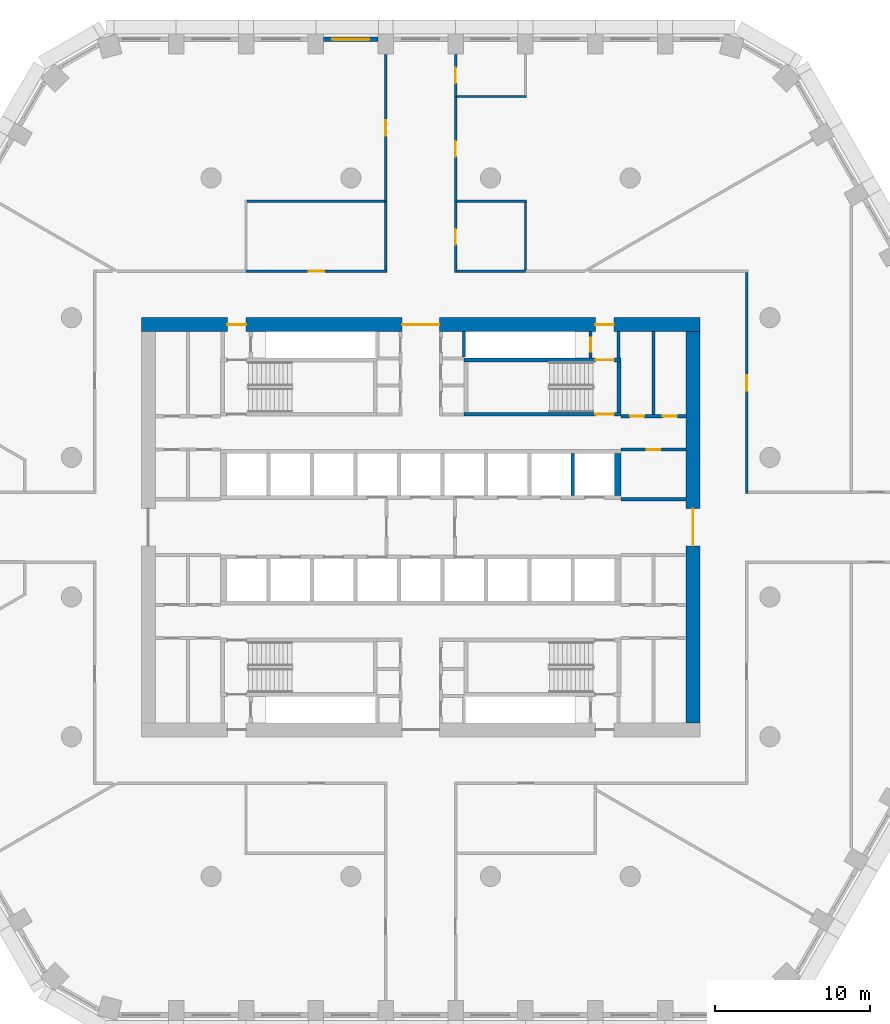
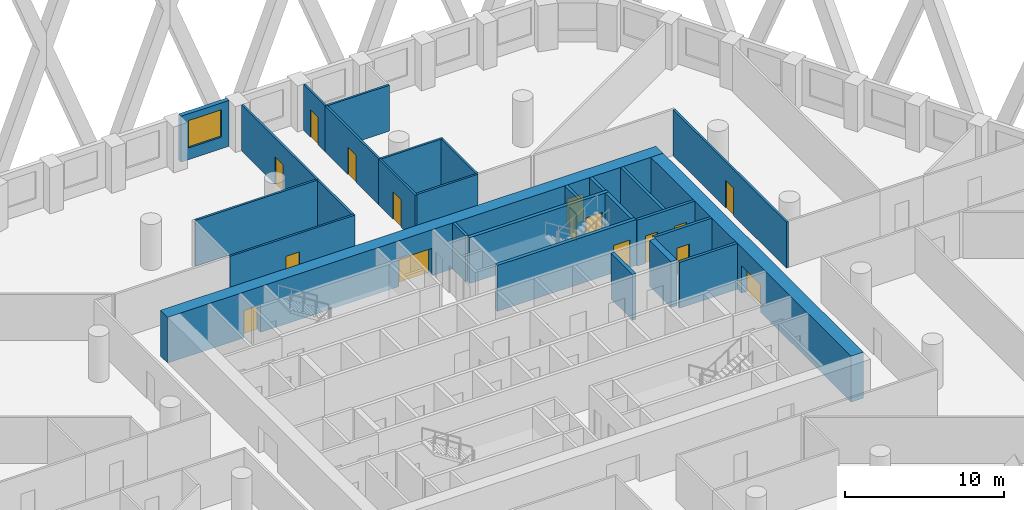
# One storey, part 7 of 18: 27 walls, 16 doors, 1 window, 17 openings.
"""IFC4 building model written with IfcOpenShell, lengths in metres."""

from ifc_helpers import new_model, si_unit, direction, frame, frame_2d, origin, place, context, subcontext, project, spatial, polyline, rectangle, outline, extrude, material, layer, layer_set, type_object, element, fill, save


model = new_model("IFC4")

# Units and contexts
model_context = context("Model", 3, precision=1e-05, world=origin(), true_north=direction((0.0, 1.0)))
body_context = subcontext(model_context, "Body", "Model", "MODEL_VIEW")
ifc_project = project(units=[si_unit("LENGTHUNIT", "METRE"), si_unit("AREAUNIT", "SQUARE_METRE"), si_unit("VOLUMEUNIT", "CUBIC_METRE"), si_unit("PLANEANGLEUNIT", "RADIAN"), si_unit("MASSUNIT", "GRAM", prefix="KILO")], contexts=[model_context])

# Site, building, storey
site_placement = place(None, origin())
site = spatial("IfcSite", under=ifc_project, at=site_placement, CompositionType="ELEMENT")
building_placement = place(site_placement, origin())
building = spatial("IfcBuilding", under=site, at=building_placement, Name="Dhurran Vertical Campus", CompositionType="ELEMENT")
storey_placement = place(building_placement, frame((0.0, 0.0, 104.699951171875)))
storey = spatial("IfcBuildingStorey", under=building, at=storey_placement, Name="L25", CompositionType="ELEMENT", Elevation=104.699951171875)

# Wall, opening, window
ifc_material_1 = material(Name="Precast concrete C50/60", Category="concrete")
ifc_layer_1 = layer(ifc_material_1, 0.300048828125)
ifc_layer_set_1 = layer_set([ifc_layer_1], Name="Precast concrete C50/60")
wall_type_1 = type_object("IfcWallType", Name="Precast spandrel wall 300", PredefinedType="SOLIDWALL", material=ifc_layer_set_1)
wall_1_placement = place(storey_placement, frame((-2.75048828125, 31.4296875, 0.0), z_axis=(0.0, 0.0, 1.0), x_axis=(-1.0, 0.0, 0.0)))
wall_1 = element("IfcWall", 1, at=wall_1_placement, inside=storey, type_object=wall_type_1, Name="EW1 L25.31", PredefinedType="SOLIDWALL", context=body_context, shape_type="SweptSolid", body=[
    extrude(rectangle(XDim=3.4990234375, YDim=0.300048828125, at=frame_2d((1.74951171875, 0.0))), origin(), (0.0, 0.0, 1.0), 3.525146484375),
])
opening_1_placement = place(wall_1_placement, frame((0.549560546875, 0.0, 0.89990234375)))
opening_1 = element("IfcOpeningElement", 2, at=opening_1_placement, cuts=wall_1, Name="Opening WT1", PredefinedType="OPENING", context=body_context, shape_type="SweptSolid", body=[
    extrude(rectangle(XDim=2.39990234375, YDim=2.10009765625, at=frame_2d((1.199951171875, 1.050048828125))), frame((0.0, 0.159912109375, 0.0), z_axis=(0.0, -1.0, 0.0), x_axis=(1.0, 0.0, 0.0)), (0.0, 0.0, 1.0), 0.320068359375),
])
ifc_material_2 = material(Name="Aluminium frame with solar-control glass", Category="aluminium")
window_type = type_object("IfcWindowType", Name="Punched window 2400 x 2100", PartitioningType="SINGLE_PANEL", PredefinedType="WINDOW", material=ifc_material_2)
window_placement = place(opening_1_placement, origin())
window = element("IfcWindow", 3, at=window_placement, inside=storey, type_object=window_type, Name="WT1 L25.31", OverallHeight=2.10009765625, OverallWidth=2.39990234375, PartitioningType="SINGLE_PANEL", PredefinedType="WINDOW", context=body_context, shape_type="SweptSolid", body=[
    extrude(rectangle(XDim=2.39990234375, YDim=2.10009765625, at=frame_2d((1.199951171875, 1.050048828125))), frame((0.0, 0.030029296875, 0.0), z_axis=(0.0, -1.0, 0.0), x_axis=(1.0, 0.0, 0.0)), (0.0, 0.0, 1.0), 0.06005859375),
])
fill(opening_1, window)

# Wall, openings, doors
ifc_material_3 = material(Name="Concrete C60/75", Category="concrete")
ifc_layer_2 = layer(ifc_material_3, 0.89990234375)
ifc_layer_set_2 = layer_set([ifc_layer_2], Name="Concrete C60/75")
wall_type_2 = type_object("IfcWallType", Name="co-CORE-WALL-C0-900", PredefinedType="SHEAR", material=ifc_layer_set_2)
wall_2_placement = place(storey_placement, frame((-18.0, 13.050048828125, 0.0), z_axis=(0.0, 0.0, 1.0), x_axis=(1.0, 0.0, 0.0)))
wall_2 = element("IfcWall", 4, at=wall_2_placement, inside=storey, type_object=wall_type_2, Name="Core wall N L25", PredefinedType="SHEAR", context=body_context, shape_type="SweptSolid", body=[
    extrude(rectangle(XDim=36.0, YDim=0.89990234375, at=frame_2d((18.0, 0.0))), origin(), (0.0, 0.0, 1.0), 3.525146484375),
])
opening_2_placement = place(wall_2_placement, frame((16.800048828125, 0.0, 0.0)))
opening_2 = element("IfcOpeningElement", 5, at=opening_2_placement, cuts=wall_2, Name="Opening CV1", PredefinedType="OPENING", context=body_context, shape_type="SweptSolid", body=[
    extrude(rectangle(XDim=2.39990234375, YDim=2.10009765625, at=frame_2d((1.199951171875, 1.050048828125))), frame((0.0, 0.4599609375, 0.0), z_axis=(0.0, -1.0, 0.0), x_axis=(1.0, 0.0, 0.0)), (0.0, 0.0, 1.0), 0.919921875),
])
opening_3_placement = place(wall_2_placement, frame((5.550048828125, 0.0, 0.0)))
opening_3 = element("IfcOpeningElement", 6, at=opening_3_placement, cuts=wall_2, Name="Opening XD1", PredefinedType="OPENING", context=body_context, shape_type="SweptSolid", body=[
    extrude(rectangle(XDim=1.199951171875, YDim=2.10009765625, at=frame_2d((0.60009765625, 1.050048828125))), frame((0.0, 0.4599609375, 0.0), z_axis=(0.0, -1.0, 0.0), x_axis=(1.0, 0.0, 0.0)), (0.0, 0.0, 1.0), 0.919921875),
])
opening_4_placement = place(wall_2_placement, frame((29.25, 0.0, 0.0)))
opening_4 = element("IfcOpeningElement", 7, at=opening_4_placement, cuts=wall_2, Name="Opening XD2", PredefinedType="OPENING", context=body_context, shape_type="SweptSolid", body=[
    extrude(rectangle(XDim=1.199951171875, YDim=2.10009765625, at=frame_2d((0.60009765625, 1.050048828125))), frame((0.0, 0.4599609375, 0.0), z_axis=(0.0, -1.0, 0.0), x_axis=(1.0, 0.0, 0.0)), (0.0, 0.0, 1.0), 0.919921875),
])
ifc_material_4 = material(Name="Fire-rated glazed door set")
door_type_1 = type_object("IfcDoorType", Name="co-D-LOBBY 2400x2100", OperationType="DOUBLE_DOOR_DOUBLE_SWING", PredefinedType="DOOR", material=ifc_material_4)
door_1_placement = place(opening_2_placement, origin())
door_1 = element("IfcDoor", 8, at=door_1_placement, inside=storey, type_object=door_type_1, Name="Core vestibule door N L25", OperationType="DOUBLE_DOOR_DOUBLE_SWING", OverallHeight=2.10009765625, OverallWidth=2.39990234375, PredefinedType="DOOR", context=body_context, shape_type="SweptSolid", body=[
    extrude(rectangle(XDim=2.39990234375, YDim=2.10009765625, at=frame_2d((1.199951171875, 1.050048828125))), frame((0.0, 0.02490234375, 0.0), z_axis=(0.0, -1.0, 0.0), x_axis=(1.0, 0.0, 0.0)), (0.0, 0.0, 1.0), 0.050048828125),
])
fill(opening_2, door_1)
ifc_material_5 = material(Name="Fire-rated steel door set", Category="steel")
door_type_2 = type_object("IfcDoorType", Name="co-D-STAIR-EXIT 1200x2100", OperationType="SINGLE_SWING_RIGHT", PredefinedType="DOOR", material=ifc_material_5)
door_2_placement = place(opening_3_placement, origin())
door_2 = element("IfcDoor", 9, at=door_2_placement, inside=storey, type_object=door_type_2, Name="Stair ST1 exit door L25", OperationType="SINGLE_SWING_RIGHT", OverallHeight=2.10009765625, OverallWidth=1.199951171875, PredefinedType="DOOR", context=body_context, shape_type="SweptSolid", body=[
    extrude(rectangle(XDim=1.199951171875, YDim=2.10009765625, at=frame_2d((0.60009765625, 1.050048828125))), frame((0.0, 0.02490234375, 0.0), z_axis=(0.0, -1.0, 0.0), x_axis=(1.0, 0.0, 0.0)), (0.0, 0.0, 1.0), 0.050048828125),
])
fill(opening_3, door_2)
door_3_placement = place(opening_4_placement, origin())
door_3 = element("IfcDoor", 10, at=door_3_placement, inside=storey, type_object=door_type_2, Name="Stair ST2 exit door L25", OperationType="SINGLE_SWING_RIGHT", OverallHeight=2.10009765625, OverallWidth=1.199951171875, PredefinedType="DOOR", context=body_context, shape_type="SweptSolid", body=[
    extrude(rectangle(XDim=1.199951171875, YDim=2.10009765625, at=frame_2d((0.60009765625, 1.050048828125))), frame((0.0, 0.02490234375, 0.0), z_axis=(0.0, -1.0, 0.0), x_axis=(1.0, 0.0, 0.0)), (0.0, 0.0, 1.0), 0.050048828125),
])
fill(opening_4, door_3)

# Wall, opening, door
wall_3_placement = place(storey_placement, frame((17.550048828125, -12.60009765625, 0.0), z_axis=(0.0, 0.0, 1.0), x_axis=(0.0, 1.0, 0.0)))
wall_3 = element("IfcWall", 11, at=wall_3_placement, inside=storey, type_object=wall_type_2, Name="Core wall E L25", PredefinedType="SHEAR", context=body_context, shape_type="SweptSolid", body=[
    extrude(rectangle(XDim=25.2001953125, YDim=0.89990234375, at=frame_2d((12.60009765625, 0.0))), origin(), (0.0, 0.0, 1.0), 3.525146484375),
])
opening_5_placement = place(wall_3_placement, frame((11.39990234375, 0.0, 0.0)))
opening_5 = element("IfcOpeningElement", 12, at=opening_5_placement, cuts=wall_3, Name="Opening CL2", PredefinedType="OPENING", context=body_context, shape_type="SweptSolid", body=[
    extrude(rectangle(XDim=2.39990234375, YDim=2.10009765625, at=frame_2d((1.199951171875, 1.050048828125))), frame((0.0, 0.4599609375, 0.0), z_axis=(0.0, -1.0, 0.0), x_axis=(1.0, 0.0, 0.0)), (0.0, 0.0, 1.0), 0.919921875),
])
door_4_placement = place(opening_5_placement, origin())
door_4 = element("IfcDoor", 13, at=door_4_placement, inside=storey, type_object=door_type_1, Name="Lift lobby door E L25", OperationType="DOUBLE_DOOR_DOUBLE_SWING", OverallHeight=2.10009765625, OverallWidth=2.39990234375, PredefinedType="DOOR", context=body_context, shape_type="SweptSolid", body=[
    extrude(rectangle(XDim=2.39990234375, YDim=2.10009765625, at=frame_2d((1.199951171875, 1.050048828125))), frame((0.0, 0.02490234375, 0.0), z_axis=(0.0, -1.0, 0.0), x_axis=(1.0, 0.0, 0.0)), (0.0, 0.0, 1.0), 0.050048828125),
])
fill(opening_5, door_4)

# Wall
ifc_material_6 = material(Name="Fire-rated masonry blockwork", Category="masonry")
ifc_layer_3 = layer(ifc_material_6, 0.199951171875)
ifc_layer_set_3 = layer_set([ifc_layer_3], Name="Fire-rated masonry blockwork")
wall_type_3 = type_object("IfcWallType", Name="co-FIRE-PARTITION-200", PredefinedType="PARTITIONING", material=ifc_layer_set_3)
wall_4_placement = place(storey_placement, frame((12.75, 10.89990234375, 0.0), z_axis=(0.0, 0.0, 1.0), x_axis=(0.0, 1.0, 0.0)))
element("IfcWall", 14, at=wall_4_placement, inside=storey, type_object=wall_type_3, Name="Core partition pass-ST2-o L25", PredefinedType="PARTITIONING", context=body_context, shape_type="SweptSolid", body=[
    extrude(rectangle(XDim=1.7001953125, YDim=0.199951171875, at=frame_2d((0.85009765625, 0.0))), origin(), (0.0, 0.0, 1.0), 3.525146484375),
])

# Wall, opening, door
wall_5_placement = place(storey_placement, frame((10.949951171875, 10.89990234375, 0.0), z_axis=(0.0, 0.0, 1.0), x_axis=(0.0, 1.0, 0.0)))
wall_5 = element("IfcWall", 15, at=wall_5_placement, inside=storey, type_object=wall_type_3, Name="Core partition pass-ST2-i L25", PredefinedType="PARTITIONING", context=body_context, shape_type="SweptSolid", body=[
    extrude(rectangle(XDim=1.7001953125, YDim=0.199951171875, at=frame_2d((0.85009765625, 0.0))), origin(), (0.0, 0.0, 1.0), 3.525146484375),
])
opening_6_placement = place(wall_5_placement, frame((0.39990234375, 0.0, 0.0)))
opening_6 = element("IfcOpeningElement", 16, at=opening_6_placement, cuts=wall_5, Name="Opening T07-C14", PredefinedType="OPENING", context=body_context, shape_type="SweptSolid", body=[
    extrude(rectangle(XDim=0.89990234375, YDim=2.10009765625, at=frame_2d((0.449951171875, 1.050048828125))), frame((0.0, 0.10986328125, 0.0), z_axis=(0.0, -1.0, 0.0), x_axis=(1.0, 0.0, 0.0)), (0.0, 0.0, 1.0), 0.219970703125),
])
ifc_material_7 = material(Name="Fire-rated timber door set", Category="wood")
door_type_3 = type_object("IfcDoorType", Name="co-D-ROOM 900x2100", OperationType="SINGLE_SWING_LEFT", PredefinedType="DOOR", material=ifc_material_7)
door_5_placement = place(opening_6_placement, origin())
door_5 = element("IfcDoor", 17, at=door_5_placement, inside=storey, type_object=door_type_3, Name="Riser room door L25", OperationType="SINGLE_SWING_LEFT", OverallHeight=2.10009765625, OverallWidth=0.89990234375, PredefinedType="DOOR", context=body_context, shape_type="SweptSolid", body=[
    extrude(rectangle(XDim=0.89990234375, YDim=2.10009765625, at=frame_2d((0.449951171875, 1.050048828125))), frame((0.0, 0.02490234375, 0.0), z_axis=(0.0, -1.0, 0.0), x_axis=(1.0, 0.0, 0.0)), (0.0, 0.0, 1.0), 0.050048828125),
])
fill(opening_6, door_5)

# Wall
wall_6_placement = place(storey_placement, frame((15.0, 7.14990234375, 0.0), z_axis=(0.0, 0.0, 1.0), x_axis=(0.0, 1.0, 0.0)))
element("IfcWall", 18, at=wall_6_placement, inside=storey, type_object=wall_type_3, Name="Core partition en-NE-cut0 L25", PredefinedType="PARTITIONING", context=body_context, shape_type="SweptSolid", body=[
    extrude(rectangle(XDim=5.4501953125, YDim=0.199951171875, at=frame_2d((2.72509765625, 0.0))), origin(), (0.0, 0.0, 1.0), 3.525146484375),
])

# Wall, openings, doors
wall_7_placement = place(storey_placement, frame((12.89990234375, 7.14990234375, 0.0), z_axis=(0.0, 0.0, 1.0), x_axis=(1.0, 0.0, 0.0)))
wall_7 = element("IfcWall", 19, at=wall_7_placement, inside=storey, type_object=wall_type_3, Name="Core partition en-NE-w L25", PredefinedType="PARTITIONING", context=body_context, shape_type="SweptSolid", body=[
    extrude(rectangle(XDim=4.2001953125, YDim=0.199951171875, at=frame_2d((2.10009765625, 0.0))), origin(), (0.0, 0.0, 1.0), 3.525146484375),
])
opening_7_placement = place(wall_7_placement, frame((0.60009765625, 0.0, 0.0)))
opening_7 = element("IfcOpeningElement", 20, at=opening_7_placement, cuts=wall_7, Name="Opening T07-C21", PredefinedType="OPENING", context=body_context, shape_type="SweptSolid", body=[
    extrude(rectangle(XDim=0.89990234375, YDim=2.10009765625, at=frame_2d((0.449951171875, 1.050048828125))), frame((0.0, 0.10986328125, 0.0), z_axis=(0.0, -1.0, 0.0), x_axis=(1.0, 0.0, 0.0)), (0.0, 0.0, 1.0), 0.219970703125),
])
opening_8_placement = place(wall_7_placement, frame((2.699951171875, 0.0, 0.0)))
opening_8 = element("IfcOpeningElement", 21, at=opening_8_placement, cuts=wall_7, Name="Opening T07-C22", PredefinedType="OPENING", context=body_context, shape_type="SweptSolid", body=[
    extrude(rectangle(XDim=0.89990234375, YDim=2.10009765625, at=frame_2d((0.449951171875, 1.050048828125))), frame((0.0, 0.10986328125, 0.0), z_axis=(0.0, -1.0, 0.0), x_axis=(1.0, 0.0, 0.0)), (0.0, 0.0, 1.0), 0.219970703125),
])
door_6_placement = place(opening_7_placement, origin())
door_6 = element("IfcDoor", 22, at=door_6_placement, inside=storey, type_object=door_type_3, Name="Waste room door L25", OperationType="SINGLE_SWING_LEFT", OverallHeight=2.10009765625, OverallWidth=0.89990234375, PredefinedType="DOOR", context=body_context, shape_type="SweptSolid", body=[
    extrude(rectangle(XDim=0.89990234375, YDim=2.10009765625, at=frame_2d((0.449951171875, 1.050048828125))), frame((0.0, 0.02490234375, 0.0), z_axis=(0.0, -1.0, 0.0), x_axis=(1.0, 0.0, 0.0)), (0.0, 0.0, 1.0), 0.050048828125),
])
fill(opening_7, door_6)
door_7_placement = place(opening_8_placement, origin())
door_7 = element("IfcDoor", 23, at=door_7_placement, inside=storey, type_object=door_type_3, Name="Server room door L25", OperationType="SINGLE_SWING_LEFT", OverallHeight=2.10009765625, OverallWidth=0.89990234375, PredefinedType="DOOR", context=body_context, shape_type="SweptSolid", body=[
    extrude(rectangle(XDim=0.89990234375, YDim=2.10009765625, at=frame_2d((0.449951171875, 1.050048828125))), frame((0.0, 0.02490234375, 0.0), z_axis=(0.0, -1.0, 0.0), x_axis=(1.0, 0.0, 0.0)), (0.0, 0.0, 1.0), 0.050048828125),
])
fill(opening_8, door_7)

# Wall, opening, door
wall_8_placement = place(storey_placement, frame((12.89990234375, 5.0, 0.0), z_axis=(0.0, 0.0, 1.0), x_axis=(1.0, 0.0, 0.0)))
wall_8 = element("IfcWall", 24, at=wall_8_placement, inside=storey, type_object=wall_type_3, Name="Core partition es-NE-w L25", PredefinedType="PARTITIONING", context=body_context, shape_type="SweptSolid", body=[
    extrude(rectangle(XDim=4.2001953125, YDim=0.199951171875, at=frame_2d((2.10009765625, 0.0))), origin(), (0.0, 0.0, 1.0), 3.525146484375),
])
opening_9_placement = place(wall_8_placement, frame((1.64990234375, 0.0, 0.0)))
opening_9 = element("IfcOpeningElement", 25, at=opening_9_placement, cuts=wall_8, Name="Opening T07-C23", PredefinedType="OPENING", context=body_context, shape_type="SweptSolid", body=[
    extrude(rectangle(XDim=0.89990234375, YDim=2.10009765625, at=frame_2d((0.449951171875, 1.050048828125))), frame((0.0, 0.10986328125, 0.0), z_axis=(0.0, -1.0, 0.0), x_axis=(1.0, 0.0, 0.0)), (0.0, 0.0, 1.0), 0.219970703125),
])
door_8_placement = place(opening_9_placement, origin())
door_8 = element("IfcDoor", 26, at=door_8_placement, inside=storey, type_object=door_type_3, Name="Housekeeping store door L25", OperationType="SINGLE_SWING_LEFT", OverallHeight=2.10009765625, OverallWidth=0.89990234375, PredefinedType="DOOR", context=body_context, shape_type="SweptSolid", body=[
    extrude(rectangle(XDim=0.89990234375, YDim=2.10009765625, at=frame_2d((0.449951171875, 1.050048828125))), frame((0.0, 0.02490234375, 0.0), z_axis=(0.0, -1.0, 0.0), x_axis=(1.0, 0.0, 0.0)), (0.0, 0.0, 1.0), 0.050048828125),
])
fill(opening_9, door_8)

# Walls
wall_9_placement = place(storey_placement, frame((12.89990234375, 1.800048828125, 0.0), z_axis=(0.0, 0.0, 1.0), x_axis=(1.0, 0.0, 0.0)))
element("IfcWall", 27, at=wall_9_placement, inside=storey, type_object=wall_type_3, Name="Core partition es-NE-l L25", PredefinedType="PARTITIONING", context=body_context, shape_type="SweptSolid", body=[
    extrude(rectangle(XDim=4.2001953125, YDim=0.199951171875, at=frame_2d((2.10009765625, 0.0))), origin(), (0.0, 0.0, 1.0), 3.525146484375),
])
wall_10_placement = place(storey_placement, frame((2.800048828125, 12.59912109375, 0.0), z_axis=(0.0, 0.0, 1.0), x_axis=(0.0, -1.0, 0.0)))
element("IfcWall", 28, at=wall_10_placement, inside=storey, type_object=wall_type_3, Name="Riser enclosure wall L25", PredefinedType="PARTITIONING", context=body_context, shape_type="SweptSolid", body=[
    extrude(rectangle(XDim=1.630615234375, YDim=0.199951171875, at=frame_2d((0.8154296875, 0.0))), origin(), (0.0, 0.0, 1.0), 3.525146484375),
])
ifc_material_8 = material(Name="Concrete C50/60", Category="concrete")
ifc_layer_4 = layer(ifc_material_8, 0.25)
ifc_layer_set_4 = layer_set([ifc_layer_4], Name="Concrete C50/60")
wall_type_4 = type_object("IfcWallType", Name="co-SHAFT-MASS-250", PredefinedType="SHEAR", material=ifc_layer_set_4)
wall_11_placement = place(storey_placement, origin())
element("IfcWall", 29, at=wall_11_placement, inside=storey, type_object=wall_type_4, Name="Lift shaft wall N L25 10", PredefinedType="SHEAR", context=body_context, shape_type="SweptSolid", body=[
    extrude(outline(polyline([(9.675048828125, 2.050048828125), (9.925048828125, 2.050048828125), (9.925048828125, 4.75), (9.675048828125, 4.75), (9.675048828125, 2.050048828125)])), origin(), (0.0, 0.0, 1.0), 3.525146484375),
])
wall_12_placement = place(storey_placement, origin())
element("IfcWall", 30, at=wall_12_placement, inside=storey, type_object=wall_type_4, Name="Lift shaft wall N L25 11", PredefinedType="SHEAR", context=body_context, shape_type="SweptSolid", body=[
    extrude(outline(polyline([(12.47509765625, 2.050048828125), (12.89990234375, 2.050048828125), (12.89990234375, 4.75), (12.47509765625, 4.75), (12.47509765625, 2.050048828125)])), origin(), (0.0, 0.0, 1.0), 3.525146484375),
])

# Wall, opening, door
ifc_material_9 = material(Name="Concrete C40/50", Category="concrete")
ifc_layer_5 = layer(ifc_material_9, 0.25)
ifc_layer_set_5 = layer_set([ifc_layer_5], Name="Concrete C40/50")
wall_type_5 = type_object("IfcWallType", Name="co-STAIR-WALL-250", PredefinedType="SHEAR", material=ifc_layer_set_5)
wall_13_placement = place(storey_placement, frame((2.800048828125, 7.27490234375, 0.0), z_axis=(0.0, 0.0, 1.0), x_axis=(1.0, 0.0, 0.0)))
wall_13 = element("IfcWall", 31, at=wall_13_placement, inside=storey, type_object=wall_type_5, Name="Stair ST2 enclosure wall L25", PredefinedType="SHEAR", context=body_context, shape_type="SweptSolid", body=[
    extrude(rectangle(XDim=10.099853515625, YDim=0.25, at=frame_2d((5.0498046875, 0.0))), origin(), (0.0, 0.0, 1.0), 3.525146484375),
])
opening_10_placement = place(wall_13_placement, frame((8.449951171875, 0.0, 0.0)))
opening_10 = element("IfcOpeningElement", 32, at=opening_10_placement, cuts=wall_13, Name="Opening SD2", PredefinedType="OPENING", context=body_context, shape_type="SweptSolid", body=[
    extrude(rectangle(XDim=1.199951171875, YDim=2.10009765625, at=frame_2d((0.60009765625, 1.050048828125))), frame((0.0, 0.135009765625, 0.0), z_axis=(0.0, -1.0, 0.0), x_axis=(1.0, 0.0, 0.0)), (0.0, 0.0, 1.0), 0.27001953125),
])
ifc_material_10 = material(Name="Fire-rated steel door set", Category="steel")
door_type_4 = type_object("IfcDoorType", Name="co-D-STAIR 1200x2100", OperationType="SINGLE_SWING_LEFT", PredefinedType="DOOR", material=ifc_material_10)
door_9_placement = place(opening_10_placement, origin())
door_9 = element("IfcDoor", 33, at=door_9_placement, inside=storey, type_object=door_type_4, Name="Stair ST2 door L25", OperationType="SINGLE_SWING_LEFT", OverallHeight=2.10009765625, OverallWidth=1.199951171875, PredefinedType="DOOR", context=body_context, shape_type="SweptSolid", body=[
    extrude(rectangle(XDim=1.199951171875, YDim=2.10009765625, at=frame_2d((0.60009765625, 1.050048828125))), frame((0.0, 0.02490234375, 0.0), z_axis=(0.0, -1.0, 0.0), x_axis=(1.0, 0.0, 0.0)), (0.0, 0.0, 1.0), 0.050048828125),
])
fill(opening_10, door_9)

wall_14_placement = place(storey_placement, frame((2.800048828125, 10.77490234375, 0.0), z_axis=(0.0, 0.0, 1.0), x_axis=(1.0, 0.0, 0.0)))
wall_14 = element("IfcWall", 34, at=wall_14_placement, inside=storey, type_object=wall_type_5, Name="Stair ST2 enclosure wall L25", PredefinedType="SHEAR", context=body_context, shape_type="SweptSolid", body=[
    extrude(rectangle(XDim=10.099853515625, YDim=0.25, at=frame_2d((5.0498046875, 0.0))), origin(), (0.0, 0.0, 1.0), 3.525146484375),
])
opening_11_placement = place(wall_14_placement, frame((8.449951171875, 0.0, 0.0)))
opening_11 = element("IfcOpeningElement", 35, at=opening_11_placement, cuts=wall_14, Name="Opening XS2", PredefinedType="OPENING", context=body_context, shape_type="SweptSolid", body=[
    extrude(rectangle(XDim=1.199951171875, YDim=2.10009765625, at=frame_2d((0.60009765625, 1.050048828125))), frame((0.0, 0.135009765625, 0.0), z_axis=(0.0, -1.0, 0.0), x_axis=(1.0, 0.0, 0.0)), (0.0, 0.0, 1.0), 0.27001953125),
])
door_10_placement = place(opening_11_placement, origin())
door_10 = element("IfcDoor", 36, at=door_10_placement, inside=storey, type_object=door_type_2, Name="Stair ST2 discharge door L25", OperationType="SINGLE_SWING_RIGHT", OverallHeight=2.10009765625, OverallWidth=1.199951171875, PredefinedType="DOOR", context=body_context, shape_type="SweptSolid", body=[
    extrude(rectangle(XDim=1.199951171875, YDim=2.10009765625, at=frame_2d((0.60009765625, 1.050048828125))), frame((0.0, 0.02490234375, 0.0), z_axis=(0.0, -1.0, 0.0), x_axis=(1.0, 0.0, 0.0)), (0.0, 0.0, 1.0), 0.050048828125),
])
fill(opening_11, door_10)

# Wall
wall_15_placement = place(storey_placement, frame((12.77490234375, 7.39990234375, 0.0), z_axis=(0.0, 0.0, 1.0), x_axis=(0.0, 1.0, 0.0)))
element("IfcWall", 37, at=wall_15_placement, inside=storey, type_object=wall_type_5, Name="Stair ST2 enclosure wall L25", PredefinedType="SHEAR", context=body_context, shape_type="SweptSolid", body=[
    extrude(rectangle(XDim=3.25, YDim=0.25, at=frame_2d((1.625, 0.0))), origin(), (0.0, 0.0, 1.0), 3.525146484375),
])

# Wall, opening, door
ifc_material_11 = material(Name="Gypsum board corridor wall on steel studs", Category="steel")
ifc_layer_6 = layer(ifc_material_11, 0.14990234375)
ifc_layer_set_6 = layer_set([ifc_layer_6], Name="Gypsum board corridor wall on steel studs")
wall_type_6 = type_object("IfcWallType", Name="fl-CW-150 corridor wall", PredefinedType="PARTITIONING", material=ifc_layer_set_6)
wall_16_placement = place(storey_placement, frame((-2.175048828125, 16.5, 0.0), z_axis=(0.0, 0.0, 1.0), x_axis=(-1.0, 0.0, 0.0)))
wall_16 = element("IfcWall", 38, at=wall_16_placement, inside=storey, type_object=wall_type_6, Name="Partition 25-27", PredefinedType="PARTITIONING", context=body_context, shape_type="SweptSolid", body=[
    extrude(rectangle(XDim=9.074951171875, YDim=0.14990234375, at=frame_2d((4.53759765625, 0.0))), origin(), (0.0, 0.0, 1.0), 3.525146484375),
])
opening_12_placement = place(wall_16_placement, frame((4.03759765625, 0.0, 0.0)))
opening_12 = element("IfcOpeningElement", 39, at=opening_12_placement, cuts=wall_16, Name="Opening T07.10", PredefinedType="OPENING", context=body_context, shape_type="SweptSolid", body=[
    extrude(rectangle(XDim=1.0, YDim=2.10009765625, at=frame_2d((0.5, 1.050048828125))), frame((0.0, 0.0849609375, 0.0), z_axis=(0.0, -1.0, 0.0), x_axis=(1.0, 0.0, 0.0)), (0.0, 0.0, 1.0), 0.169921875),
])
ifc_material_12 = material(Name="Solid-core timber door set, fire-rated", Category="wood")
door_type_5 = type_object("IfcDoorType", Name="fl-D-1000x2100", OperationType="SINGLE_SWING_LEFT", PredefinedType="DOOR", material=ifc_material_12)
door_11_placement = place(opening_12_placement, origin())
door_11 = element("IfcDoor", 40, at=door_11_placement, inside=storey, type_object=door_type_5, Name="Door 25.10", OperationType="SINGLE_SWING_RIGHT", OverallHeight=2.10009765625, OverallWidth=1.0, PredefinedType="DOOR", context=body_context, shape_type="SweptSolid", body=[
    extrude(rectangle(XDim=1.0, YDim=2.10009765625, at=frame_2d((0.5, 1.050048828125))), frame((0.0, 0.02490234375, 0.0), z_axis=(0.0, -1.0, 0.0), x_axis=(1.0, 0.0, 0.0)), (0.0, 0.0, 1.0), 0.050048828125),
])
fill(opening_12, door_11)

# Wall
wall_17_placement = place(storey_placement, frame((-2.25, 16.574951171875, 0.0), z_axis=(0.0, 0.0, 1.0), x_axis=(0.0, 1.0, 0.0)))
element("IfcWall", 41, at=wall_17_placement, inside=storey, type_object=wall_type_6, Name="Partition 25-31", PredefinedType="PARTITIONING", context=body_context, shape_type="SweptSolid", body=[
    extrude(rectangle(XDim=4.425048828125, YDim=0.14990234375, at=frame_2d((2.21240234375, 0.0))), origin(), (0.0, 0.0, 1.0), 3.525146484375),
])

# Wall, opening, door
wall_18_placement = place(storey_placement, frame((-2.25, 21.0, 0.0), z_axis=(0.0, 0.0, 1.0), x_axis=(0.0, 1.0, 0.0)))
wall_18 = element("IfcWall", 42, at=wall_18_placement, inside=storey, type_object=wall_type_6, Name="Partition 25-32", PredefinedType="PARTITIONING", context=body_context, shape_type="SweptSolid", body=[
    extrude(rectangle(XDim=9.459716796875, YDim=0.14990234375, at=frame_2d((4.72998046875, 0.0))), origin(), (0.0, 0.0, 1.0), 3.525146484375),
])
opening_13_placement = place(wall_18_placement, frame((4.22998046875, 0.0, 0.0)))
opening_13 = element("IfcOpeningElement", 43, at=opening_13_placement, cuts=wall_18, Name="Opening T07.08", PredefinedType="OPENING", context=body_context, shape_type="SweptSolid", body=[
    extrude(rectangle(XDim=1.0, YDim=2.10009765625, at=frame_2d((0.5, 1.050048828125))), frame((0.0, 0.0849609375, 0.0), z_axis=(0.0, -1.0, 0.0), x_axis=(1.0, 0.0, 0.0)), (0.0, 0.0, 1.0), 0.169921875),
])
door_12_placement = place(opening_13_placement, origin())
door_12 = element("IfcDoor", 44, at=door_12_placement, inside=storey, type_object=door_type_5, Name="Door 25.08", OperationType="SINGLE_SWING_RIGHT", OverallHeight=2.10009765625, OverallWidth=1.0, PredefinedType="DOOR", context=body_context, shape_type="SweptSolid", body=[
    extrude(rectangle(XDim=1.0, YDim=2.10009765625, at=frame_2d((0.5, 1.050048828125))), frame((0.0, 0.02490234375, 0.0), z_axis=(0.0, -1.0, 0.0), x_axis=(1.0, 0.0, 0.0)), (0.0, 0.0, 1.0), 0.050048828125),
])
fill(opening_13, door_12)

wall_19_placement = place(storey_placement, frame((2.25, 21.0, 0.0), z_axis=(0.0, 0.0, 1.0), x_axis=(0.0, -1.0, 0.0)))
wall_19 = element("IfcWall", 45, at=wall_19_placement, inside=storey, type_object=wall_type_6, Name="Partition 25-37", PredefinedType="PARTITIONING", context=body_context, shape_type="SweptSolid", body=[
    extrude(rectangle(XDim=4.574951171875, YDim=0.14990234375, at=frame_2d((2.28759765625, 0.0))), origin(), (0.0, 0.0, 1.0), 3.525146484375),
])
opening_14_placement = place(wall_19_placement, frame((1.78759765625, 0.0, 0.0)))
opening_14 = element("IfcOpeningElement", 46, at=opening_14_placement, cuts=wall_19, Name="Opening T07.11", PredefinedType="OPENING", context=body_context, shape_type="SweptSolid", body=[
    extrude(rectangle(XDim=1.0, YDim=2.10009765625, at=frame_2d((0.5, 1.050048828125))), frame((0.0, 0.0849609375, 0.0), z_axis=(0.0, -1.0, 0.0), x_axis=(1.0, 0.0, 0.0)), (0.0, 0.0, 1.0), 0.169921875),
])
door_13_placement = place(opening_14_placement, origin())
door_13 = element("IfcDoor", 47, at=door_13_placement, inside=storey, type_object=door_type_5, Name="Door 25.11", OperationType="SINGLE_SWING_RIGHT", OverallHeight=2.10009765625, OverallWidth=1.0, PredefinedType="DOOR", context=body_context, shape_type="SweptSolid", body=[
    extrude(rectangle(XDim=1.0, YDim=2.10009765625, at=frame_2d((0.5, 1.050048828125))), frame((0.0, 0.02490234375, 0.0), z_axis=(0.0, -1.0, 0.0), x_axis=(1.0, 0.0, 0.0)), (0.0, 0.0, 1.0), 0.050048828125),
])
fill(opening_14, door_13)

# Wall
wall_20_placement = place(storey_placement, frame((6.75, 16.5, 0.0), z_axis=(0.0, 0.0, 1.0), x_axis=(-1.0, 0.0, 0.0)))
element("IfcWall", 48, at=wall_20_placement, inside=storey, type_object=wall_type_6, Name="Partition 25-38", PredefinedType="PARTITIONING", context=body_context, shape_type="SweptSolid", body=[
    extrude(rectangle(XDim=4.425048828125, YDim=0.14990234375, at=frame_2d((2.21240234375, 0.0))), origin(), (0.0, 0.0, 1.0), 3.525146484375),
])

# Wall, opening, door
wall_21_placement = place(storey_placement, frame((2.25, 27.75, 0.0), z_axis=(0.0, 0.0, 1.0), x_axis=(0.0, -1.0, 0.0)))
wall_21 = element("IfcWall", 49, at=wall_21_placement, inside=storey, type_object=wall_type_6, Name="Partition 25-39", PredefinedType="PARTITIONING", context=body_context, shape_type="SweptSolid", body=[
    extrude(rectangle(XDim=6.75, YDim=0.14990234375, at=frame_2d((3.375, 0.0))), origin(), (0.0, 0.0, 1.0), 3.525146484375),
])
opening_15_placement = place(wall_21_placement, frame((2.875, 0.0, 0.0)))
opening_15 = element("IfcOpeningElement", 50, at=opening_15_placement, cuts=wall_21, Name="Opening T07.15", PredefinedType="OPENING", context=body_context, shape_type="SweptSolid", body=[
    extrude(rectangle(XDim=1.0, YDim=2.10009765625, at=frame_2d((0.5, 1.050048828125))), frame((0.0, 0.0849609375, 0.0), z_axis=(0.0, -1.0, 0.0), x_axis=(1.0, 0.0, 0.0)), (0.0, 0.0, 1.0), 0.169921875),
])
door_14_placement = place(opening_15_placement, origin())
door_14 = element("IfcDoor", 51, at=door_14_placement, inside=storey, type_object=door_type_5, Name="Door 25.15", OperationType="SINGLE_SWING_RIGHT", OverallHeight=2.10009765625, OverallWidth=1.0, PredefinedType="DOOR", context=body_context, shape_type="SweptSolid", body=[
    extrude(rectangle(XDim=1.0, YDim=2.10009765625, at=frame_2d((0.5, 1.050048828125))), frame((0.0, 0.02490234375, 0.0), z_axis=(0.0, -1.0, 0.0), x_axis=(1.0, 0.0, 0.0)), (0.0, 0.0, 1.0), 0.050048828125),
])
fill(opening_15, door_14)

wall_22_placement = place(storey_placement, frame((2.25, 30.459716796875, 0.0), z_axis=(0.0, 0.0, 1.0), x_axis=(0.0, -1.0, 0.0)))
wall_22 = element("IfcWall", 52, at=wall_22_placement, inside=storey, type_object=wall_type_6, Name="Partition 25-41", PredefinedType="PARTITIONING", context=body_context, shape_type="SweptSolid", body=[
    extrude(rectangle(XDim=2.709716796875, YDim=0.14990234375, at=frame_2d((1.35498046875, 0.0))), origin(), (0.0, 0.0, 1.0), 3.525146484375),
])
opening_16_placement = place(wall_22_placement, frame((0.85498046875, 0.0, 0.0)))
opening_16 = element("IfcOpeningElement", 53, at=opening_16_placement, cuts=wall_22, Name="Opening T07.12", PredefinedType="OPENING", context=body_context, shape_type="SweptSolid", body=[
    extrude(rectangle(XDim=1.0, YDim=2.10009765625, at=frame_2d((0.5, 1.050048828125))), frame((0.0, 0.0849609375, 0.0), z_axis=(0.0, -1.0, 0.0), x_axis=(1.0, 0.0, 0.0)), (0.0, 0.0, 1.0), 0.169921875),
])
door_15_placement = place(opening_16_placement, origin())
door_15 = element("IfcDoor", 54, at=door_15_placement, inside=storey, type_object=door_type_5, Name="Door 25.12", OperationType="SINGLE_SWING_LEFT", OverallHeight=2.10009765625, OverallWidth=1.0, PredefinedType="DOOR", context=body_context, shape_type="SweptSolid", body=[
    extrude(rectangle(XDim=1.0, YDim=2.10009765625, at=frame_2d((0.5, 1.050048828125))), frame((0.0, 0.02490234375, 0.0), z_axis=(0.0, -1.0, 0.0), x_axis=(1.0, 0.0, 0.0)), (0.0, 0.0, 1.0), 0.050048828125),
])
fill(opening_16, door_15)

wall_23_placement = place(storey_placement, frame((21.0, 2.175048828125, 0.0), z_axis=(0.0, 0.0, 1.0), x_axis=(0.0, 1.0, 0.0)))
wall_23 = element("IfcWall", 55, at=wall_23_placement, inside=storey, type_object=wall_type_6, Name="Partition 25-54", PredefinedType="PARTITIONING", context=body_context, shape_type="SweptSolid", body=[
    extrude(rectangle(XDim=14.25, YDim=0.14990234375, at=frame_2d((7.125, 0.0))), origin(), (0.0, 0.0, 1.0), 3.525146484375),
])
opening_17_placement = place(wall_23_placement, frame((6.625, 0.0, 0.0)))
opening_17 = element("IfcOpeningElement", 56, at=opening_17_placement, cuts=wall_23, Name="Opening T07.16", PredefinedType="OPENING", context=body_context, shape_type="SweptSolid", body=[
    extrude(rectangle(XDim=1.0, YDim=2.10009765625, at=frame_2d((0.5, 1.050048828125))), frame((0.0, 0.0849609375, 0.0), z_axis=(0.0, -1.0, 0.0), x_axis=(1.0, 0.0, 0.0)), (0.0, 0.0, 1.0), 0.169921875),
])
door_16_placement = place(opening_17_placement, origin())
door_16 = element("IfcDoor", 57, at=door_16_placement, inside=storey, type_object=door_type_5, Name="Door 25.16", OperationType="SINGLE_SWING_RIGHT", OverallHeight=2.10009765625, OverallWidth=1.0, PredefinedType="DOOR", context=body_context, shape_type="SweptSolid", body=[
    extrude(rectangle(XDim=1.0, YDim=2.10009765625, at=frame_2d((0.5, 1.050048828125))), frame((0.0, 0.02490234375, 0.0), z_axis=(0.0, -1.0, 0.0), x_axis=(1.0, 0.0, 0.0)), (0.0, 0.0, 1.0), 0.050048828125),
])
fill(opening_17, door_16)

# Walls
ifc_material_13 = material(Name="Gypsum board partition on steel studs", Category="steel")
ifc_layer_7 = layer(ifc_material_13, 0.14990234375)
ifc_layer_set_7 = layer_set([ifc_layer_7], Name="Gypsum board partition on steel studs")
wall_type_7 = type_object("IfcWallType", Name="fl-PW-150 fixed partition", PredefinedType="PARTITIONING", material=ifc_layer_set_7)
wall_24_placement = place(storey_placement, frame((-2.324951171875, 21.0, 0.0), z_axis=(0.0, 0.0, 1.0), x_axis=(-1.0, 0.0, 0.0)))
element("IfcWall", 58, at=wall_24_placement, inside=storey, type_object=wall_type_7, Name="Partition 25-28", PredefinedType="PARTITIONING", context=body_context, shape_type="SweptSolid", body=[
    extrude(rectangle(XDim=8.85009765625, YDim=0.14990234375, at=frame_2d((4.425048828125, 0.0))), origin(), (0.0, 0.0, 1.0), 3.525146484375),
])
for number, where, z_axis, x_axis, name in (
    (59, (2.324951171875, 21.0, 0.0), (0.0, 0.0, 1.0), (1.0, 0.0, 0.0), "Partition 25-40"),
    (60, (6.824951171875, 27.75, 0.0), (0.0, 0.0, 1.0), (-1.0, 0.0, 0.0), "Partition 25-42"),
):
    element("IfcWall", number, at=place(storey_placement, frame(where, z_axis=z_axis, x_axis=x_axis)), inside=storey, type_object=wall_type_7, Name=name, PredefinedType="PARTITIONING", context=body_context, shape_type="SweptSolid", body=[
        extrude(rectangle(XDim=4.5, YDim=0.14990234375, at=frame_2d((2.25, 0.0))), origin(), (0.0, 0.0, 1.0), 3.525146484375),
    ])
wall_25_placement = place(storey_placement, frame((6.75, 20.925048828125, 0.0), z_axis=(0.0, 0.0, 1.0), x_axis=(0.0, -1.0, 0.0)))
element("IfcWall", 61, at=wall_25_placement, inside=storey, type_object=wall_type_7, Name="Partition 25-43", PredefinedType="PARTITIONING", context=body_context, shape_type="SweptSolid", body=[
    extrude(rectangle(XDim=4.35009765625, YDim=0.14990234375, at=frame_2d((2.175048828125, 0.0))), origin(), (0.0, 0.0, 1.0), 3.525146484375),
])

save(model, "model.ifc")
